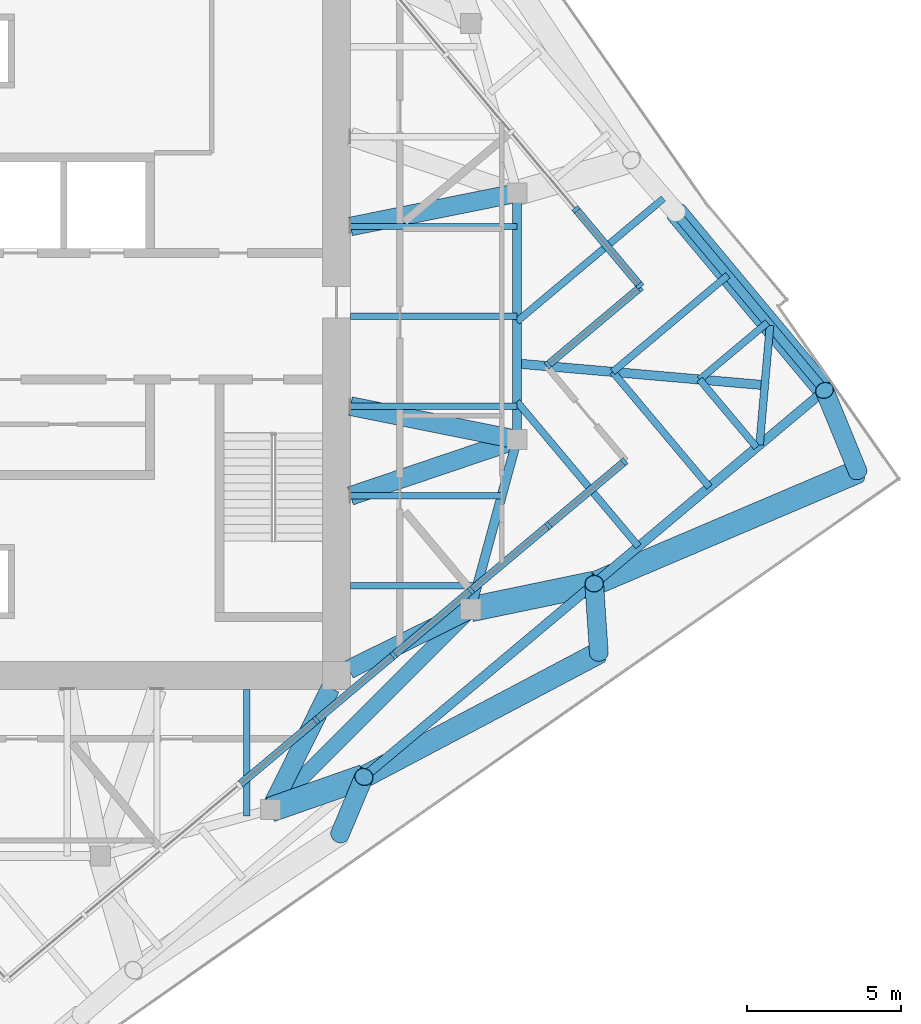
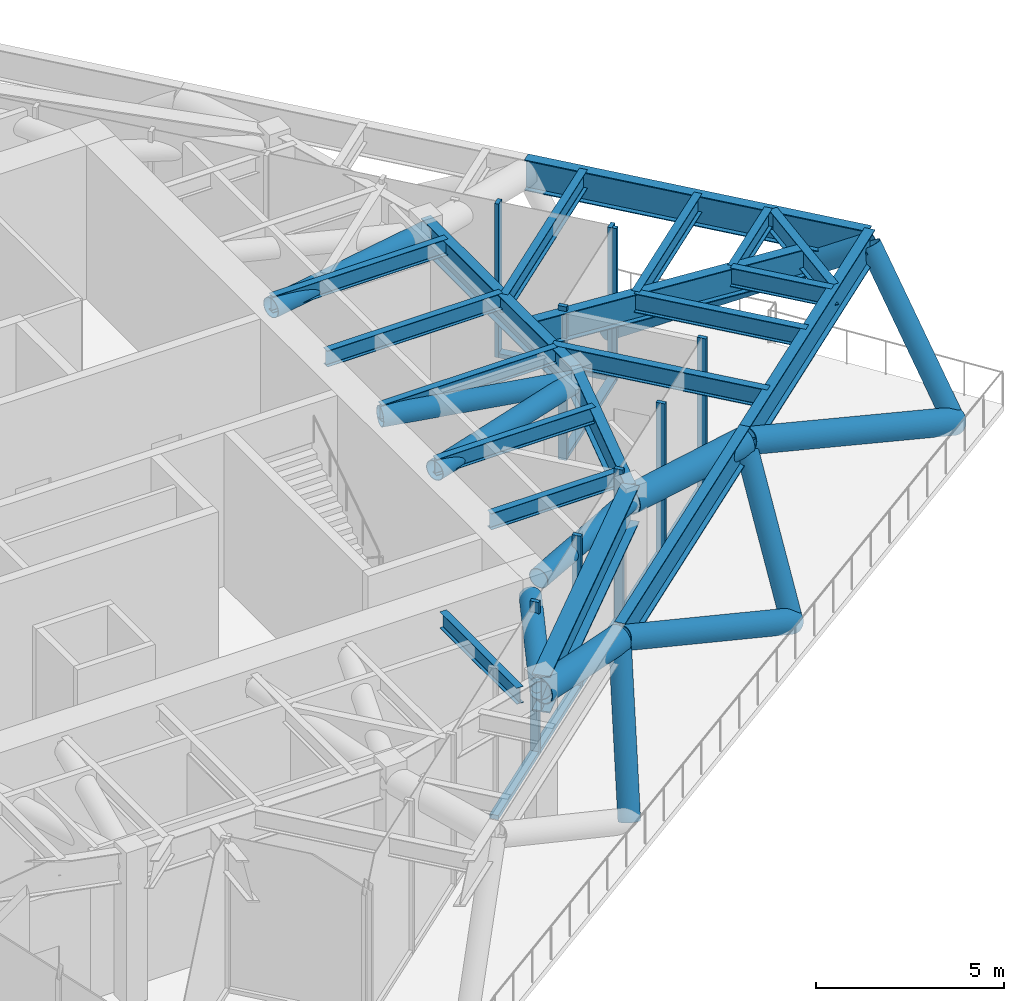
# One storey, part 3 of 15: 29 members, 20 beams, 3 elements without a shape of their own.
"""IFC4 building model written with IfcOpenShell, lengths in metres."""

from ifc_helpers import new_model, si_unit, direction, frame, origin, origin_2d, place, context, subcontext, project, spatial, rectangle, hollow_circle, i_section, extrude, material, material_profile, profile_set, type_object, element, aggregate, save


model = new_model("IFC4")

# Units and contexts
model_context = context("Model", 3, precision=1e-05, world=origin(), true_north=direction((0.0, 1.0)))
body_context = subcontext(model_context, "Body", "Model", "MODEL_VIEW")
ifc_project = project(units=[si_unit("LENGTHUNIT", "METRE"), si_unit("AREAUNIT", "SQUARE_METRE"), si_unit("VOLUMEUNIT", "CUBIC_METRE"), si_unit("PLANEANGLEUNIT", "RADIAN"), si_unit("MASSUNIT", "GRAM", prefix="KILO")], contexts=[model_context])

# Site, building, storey
site_placement = place(None, origin())
site = spatial("IfcSite", under=ifc_project, at=site_placement, CompositionType="ELEMENT")
building_placement = place(site_placement, origin())
building = spatial("IfcBuilding", under=site, at=building_placement, Name="Torsade Residences", CompositionType="ELEMENT")
storey_placement = place(building_placement, frame((0.0, 0.0, 267.60009765625)))
storey = spatial("IfcBuildingStorey", under=building, at=storey_placement, Name="L74", CompositionType="ELEMENT", Elevation=267.60009765625)

# Beams
ifc_material_1 = material(Name="Steel grade 300", Category="steel")
ifc_material_profile_1 = material_profile(ifc_material_1, i_section(OverallWidth=0.300048828125, OverallDepth=0.89990234375, WebThickness=0.011962890625, FlangeThickness=0.02490234375, at=origin_2d()), Name="900WB175")
ifc_profile_set_1 = profile_set([ifc_material_profile_1], Name="Steel grade 300")
beam_type_1 = type_object("IfcBeamType", Name="CORNER GIRDER 900WB175", PredefinedType="BEAM", material=ifc_profile_set_1)
beam_1_placement = place(storey_placement, frame((65.53515625, 27.765869140625, 4.39990234375), z_axis=(-0.996193191806, 0.087172957961, 0.0), x_axis=(-0.087172957961, -0.996193191806, 0.0)))
element("IfcBeam", 1, at=beam_1_placement, inside=storey, type_object=beam_type_1, Name="Corner girder 05 L75", PredefinedType="BEAM", context=body_context, shape_type="SweptSolid", body=[
    extrude(i_section(OverallWidth=0.300048828125, OverallDepth=0.89990234375, WebThickness=0.011962890625, FlangeThickness=0.02490234375, at=origin_2d()), origin(), (0.0, 0.0, 1.0), 8.06591796875),
])
ifc_material_2 = material(Name="Steel grade 300", Category="steel")
ifc_material_profile_2 = material_profile(ifc_material_2, i_section(OverallWidth=0.25, OverallDepth=0.699951171875, WebThickness=0.010009765625, FlangeThickness=0.02001953125, at=origin_2d()), Name="700WB130")
ifc_profile_set_2 = profile_set([ifc_material_profile_2], Name="Steel grade 300")
beam_type_2 = type_object("IfcBeamType", Name="CORNER TRIMMER 700WB130", PredefinedType="BEAM", material=ifc_profile_set_2)
beam_2_placement = place(storey_placement, frame((65.70458984375, 29.703125, 4.5), z_axis=(-0.087133464362, -0.996196646947, 0.0), x_axis=(0.996196646947, -0.087133464362, 0.0)))
element("IfcBeam", 2, at=beam_2_placement, inside=storey, type_object=beam_type_2, Name="Corner trimmer 05 L75", PredefinedType="BEAM", context=body_context, shape_type="SweptSolid", body=[
    extrude(i_section(OverallWidth=0.25, OverallDepth=0.699951171875, WebThickness=0.010009765625, FlangeThickness=0.02001953125, at=origin_2d()), origin(), (0.0, 0.0, 1.0), 3.88916015625),
])

# Curtain wall, members
ifc_material_3 = material(Name="Aluminium and glass", Category="aluminium")
curtain_wall_type = type_object("IfcCurtainWallType", Name="TRANSFER LEVEL CURTAIN WALL HIGH ZONE", PredefinedType="NOTDEFINED", material=ifc_material_3)
curtain_wall_1_placement = place(storey_placement, origin())
curtain_wall_1 = element("IfcCurtainWall", 3, at=curtain_wall_1_placement, inside=storey, type_object=curtain_wall_type, Name="Curtain wall L74 face 1", PredefinedType="NOTDEFINED")
ifc_material_4 = material(Name="Aluminium mullion", Category="aluminium")
ifc_material_profile_3 = material_profile(ifc_material_4, rectangle(XDim=0.25, YDim=0.1201171875, at=origin_2d()), Name="HIGH ZONE TRANSFER CURTAIN WALL MULLION 250x120")
ifc_profile_set_3 = profile_set([ifc_material_profile_3], Name="Aluminium mullion")
member_type_1 = type_object("IfcMemberType", Name="HIGH ZONE TRANSFER CURTAIN WALL MULLION 250x120", PredefinedType="MULLION", material=ifc_profile_set_3)
member_1_placement = place(storey_placement, frame((50.99169921875, 16.900634765625, 0.0), z_axis=(0.0, 0.0, 1.0), x_axis=(-0.642787631413, 0.766044424888, 0.0)))
member_1 = element("IfcMember", 4, at=member_1_placement, type_object=member_type_1, Name="Mullion 5", PredefinedType="MULLION", context=body_context, shape_type="SweptSolid", body=[
    extrude(rectangle(XDim=0.25, YDim=0.1201171875, at=origin_2d()), origin(), (0.0, 0.0, 1.0), 5.0),
])
member_2_placement = place(storey_placement, frame((53.50048828125, 19.005859375, 0.0), z_axis=(0.0, 0.0, 1.0), x_axis=(-0.642787631413, 0.766044424888, 0.0)))
member_2 = element("IfcMember", 5, at=member_2_placement, type_object=member_type_1, Name="Mullion 6", PredefinedType="MULLION", context=body_context, shape_type="SweptSolid", body=[
    extrude(rectangle(XDim=0.25, YDim=0.1201171875, at=origin_2d()), origin(), (0.0, 0.0, 1.0), 5.0),
])
member_3_placement = place(storey_placement, frame((56.00927734375, 21.11083984375, 0.0), z_axis=(0.0, 0.0, 1.0), x_axis=(-0.642787631413, 0.766044424888, 0.0)))
member_3 = element("IfcMember", 6, at=member_3_placement, type_object=member_type_1, Name="Mullion 7", PredefinedType="MULLION", context=body_context, shape_type="SweptSolid", body=[
    extrude(rectangle(XDim=0.25, YDim=0.1201171875, at=origin_2d()), origin(), (0.0, 0.0, 1.0), 5.0),
])
member_4_placement = place(storey_placement, frame((58.51806640625, 23.216064453125, 0.0), z_axis=(0.0, 0.0, 1.0), x_axis=(-0.642787631413, 0.766044424888, 0.0)))
member_4 = element("IfcMember", 7, at=member_4_placement, type_object=member_type_1, Name="Mullion 8", PredefinedType="MULLION", context=body_context, shape_type="SweptSolid", body=[
    extrude(rectangle(XDim=0.25, YDim=0.1201171875, at=origin_2d()), origin(), (0.0, 0.0, 1.0), 5.0),
])
member_5_placement = place(storey_placement, frame((60.98095703125, 25.282470703125, 0.0), z_axis=(0.0, 0.0, 1.0), x_axis=(-0.642787631413, 0.766044424888, 0.0)))
member_5 = element("IfcMember", 8, at=member_5_placement, type_object=member_type_1, Name="Mullion 9", PredefinedType="MULLION", context=body_context, shape_type="SweptSolid", body=[
    extrude(rectangle(XDim=0.25, YDim=0.1201171875, at=origin_2d()), origin(), (0.0, 0.0, 1.0), 5.0),
])

curtain_wall_2_placement = place(storey_placement, origin())
curtain_wall_2 = element("IfcCurtainWall", 9, at=curtain_wall_2_placement, inside=storey, type_object=curtain_wall_type, Name="Curtain wall L74 face 3", PredefinedType="NOTDEFINED")
member_6_placement = place(storey_placement, frame((58.501708984375, 28.423828125, 0.0), z_axis=(0.0, 0.0, 1.0), x_axis=(-0.642787664022, 0.766044397526, 0.0)))
member_6 = element("IfcMember", 10, at=member_6_placement, type_object=member_type_1, Name="Mullion 1", PredefinedType="MULLION", context=body_context, shape_type="SweptSolid", body=[
    extrude(rectangle(XDim=0.25, YDim=0.1201171875, at=origin_2d()), origin(), (0.0, 0.0, 1.0), 5.0),
])
member_7_placement = place(storey_placement, frame((61.473876953125, 30.91796875, 0.0), z_axis=(0.0, 0.0, 1.0), x_axis=(-0.642787664022, 0.766044397526, 0.0)))
member_7 = element("IfcMember", 11, at=member_7_placement, type_object=member_type_1, Name="Mullion 2", PredefinedType="MULLION", context=body_context, shape_type="SweptSolid", body=[
    extrude(rectangle(XDim=0.25, YDim=0.1201171875, at=origin_2d()), origin(), (0.0, 0.0, 1.0), 5.0),
])

curtain_wall_3_placement = place(storey_placement, origin())
curtain_wall_3 = element("IfcCurtainWall", 12, at=curtain_wall_3_placement, inside=storey, type_object=curtain_wall_type, Name="Curtain wall L74 face 4", PredefinedType="NOTDEFINED")
member_8_placement = place(storey_placement, frame((61.481201171875, 31.00244140625, 0.0), z_axis=(0.0, 0.0, 1.0), x_axis=(-0.766044424888, -0.642787631413, 0.0)))
member_8 = element("IfcMember", 13, at=member_8_placement, type_object=member_type_1, Name="Mullion 1", PredefinedType="MULLION", context=body_context, shape_type="SweptSolid", body=[
    extrude(rectangle(XDim=0.25, YDim=0.1201171875, at=origin_2d()), origin(), (0.0, 0.0, 1.0), 5.0),
])
member_9_placement = place(storey_placement, frame((59.414794921875, 33.46533203125, 0.0), z_axis=(0.0, 0.0, 1.0), x_axis=(-0.766044424888, -0.642787631413, 0.0)))
member_9 = element("IfcMember", 14, at=member_9_placement, type_object=member_type_1, Name="Mullion 2", PredefinedType="MULLION", context=body_context, shape_type="SweptSolid", body=[
    extrude(rectangle(XDim=0.25, YDim=0.1201171875, at=origin_2d()), origin(), (0.0, 0.0, 1.0), 5.0),
])

# Member
ifc_material_5 = material(Name="Aluminium transom", Category="aluminium")
ifc_material_profile_4 = material_profile(ifc_material_5, rectangle(XDim=0.25, YDim=0.139892578125, at=origin_2d()), Name="HIGH ZONE TRANSFER CURTAIN WALL TRANSOM 250x140")
ifc_profile_set_4 = profile_set([ifc_material_profile_4], Name="Aluminium transom")
member_type_2 = type_object("IfcMemberType", Name="HIGH ZONE TRANSFER CURTAIN WALL TRANSOM 250x140", PredefinedType="USERDEFINED", material=ifc_profile_set_4)
member_10_placement = place(storey_placement, frame((48.52880859375, 14.833984375, 0.06982421875), z_axis=(0.766047733122, 0.642783688793, 0.0), x_axis=(-0.642783688793, 0.766047733122, 0.0)))
member_10 = element("IfcMember", 15, at=member_10_placement, type_object=member_type_2, Name="Transom 4.1", ObjectType="TRANSOM", PredefinedType="USERDEFINED", context=body_context, shape_type="SweptSolid", body=[
    extrude(rectangle(XDim=0.25, YDim=0.139892578125, at=origin_2d()), origin(), (0.0, 0.0, 1.0), 3.155029296875),
])

member_11_placement = place(storey_placement, frame((51.03759765625, 16.939208984375, 0.06982421875), z_axis=(0.766047733122, 0.642783688793, 0.0), x_axis=(-0.642783688793, 0.766047733122, 0.0)))
member_11 = element("IfcMember", 16, at=member_11_placement, type_object=member_type_2, Name="Transom 5.1", ObjectType="TRANSOM", PredefinedType="USERDEFINED", context=body_context, shape_type="SweptSolid", body=[
    extrude(rectangle(XDim=0.25, YDim=0.139892578125, at=origin_2d()), origin(), (0.0, 0.0, 1.0), 3.155029296875),
])

member_12_placement = place(storey_placement, frame((53.54638671875, 19.04443359375, 0.06982421875), z_axis=(0.766085835105, 0.642738277412, 0.0), x_axis=(-0.642738277412, 0.766085835105, 0.0)))
member_12 = element("IfcMember", 17, at=member_12_placement, type_object=member_type_2, Name="Transom 6.1", ObjectType="TRANSOM", PredefinedType="USERDEFINED", context=body_context, shape_type="SweptSolid", body=[
    extrude(rectangle(XDim=0.25, YDim=0.139892578125, at=origin_2d()), origin(), (0.0, 0.0, 1.0), 3.155029296875),
])

member_13_placement = place(storey_placement, frame((56.05517578125, 21.1494140625, 0.06982421875), z_axis=(0.766047733122, 0.642783688793, 0.0), x_axis=(-0.642783688793, 0.766047733122, 0.0)))
member_13 = element("IfcMember", 18, at=member_13_placement, type_object=member_type_2, Name="Transom 7.1", ObjectType="TRANSOM", PredefinedType="USERDEFINED", context=body_context, shape_type="SweptSolid", body=[
    extrude(rectangle(XDim=0.25, YDim=0.139892578125, at=origin_2d()), origin(), (0.0, 0.0, 1.0), 3.155029296875),
])

member_14_placement = place(storey_placement, frame((58.56396484375, 23.254638671875, 0.06982421875), z_axis=(0.766024886585, 0.642810915537, 0.0), x_axis=(-0.642810915537, 0.766024886585, 0.0)))
member_14 = element("IfcMember", 19, at=member_14_placement, type_object=member_type_2, Name="Transom 8.1", ObjectType="TRANSOM", PredefinedType="USERDEFINED", context=body_context, shape_type="SweptSolid", body=[
    extrude(rectangle(XDim=0.25, YDim=0.139892578125, at=origin_2d()), origin(), (0.0, 0.0, 1.0), 3.094970703125),
])

aggregate(curtain_wall_1, [member_1, member_2, member_3, member_4, member_5, member_10, member_11, member_12, member_13, member_14])

member_15_placement = place(storey_placement, frame((58.547607421875, 28.46240234375, 0.06982421875), z_axis=(0.766034770044, 0.642799137433, 0.0), x_axis=(-0.642799137433, 0.766034770044, 0.0)))
member_15 = element("IfcMember", 20, at=member_15_placement, type_object=member_type_2, Name="Transom 1.1", ObjectType="TRANSOM", PredefinedType="USERDEFINED", context=body_context, shape_type="SweptSolid", body=[
    extrude(rectangle(XDim=0.25, YDim=0.139892578125, at=origin_2d()), origin(), (0.0, 0.0, 1.0), 3.760009765625),
])

aggregate(curtain_wall_2, [member_6, member_7, member_15])

member_16_placement = place(storey_placement, frame((61.442626953125, 31.04833984375, 0.06982421875), z_axis=(-0.642725782483, 0.766096318051, 0.0), x_axis=(-0.766096318051, -0.642725782483, 0.0)))
member_16 = element("IfcMember", 21, at=member_16_placement, type_object=member_type_2, Name="Transom 1.1", ObjectType="TRANSOM", PredefinedType="USERDEFINED", context=body_context, shape_type="SweptSolid", body=[
    extrude(rectangle(XDim=0.25, YDim=0.139892578125, at=origin_2d()), origin(), (0.0, 0.0, 1.0), 3.094970703125),
])

aggregate(curtain_wall_3, [member_8, member_9, member_16])

# Beams
ifc_material_6 = material(Name="Steel grade 300", Category="steel")
ifc_material_profile_5 = material_profile(ifc_material_6, i_section(OverallWidth=0.208984375, OverallDepth=0.528076171875, WebThickness=0.009521484375, FlangeThickness=0.01318359375, FilletRadius=0.013916015625, at=origin_2d()), Name="530UB82.0")
ifc_profile_set_5 = profile_set([ifc_material_profile_5], Name="Steel grade 300")
beam_type_3 = type_object("IfcBeamType", Name="INNER FLOOR BEAM 530UB82.0", PredefinedType="JOIST", material=ifc_profile_set_5)
for number, where, z_axis, x_axis, name in (
    (22, (48.737548828125, 17.89990234375, 4.5859375), (0.0, -1.0, 0.0), (1.0, 0.0, 0.0), "Inner floor beam IS01 L75"),
    (23, (52.10009765625, 21.262451171875, 4.5859375), (1.0, 0.0, 0.0), (0.0, 1.0, 0.0), "Inner floor beam IE01 L75"),
):
    element("IfcBeam", number, at=place(storey_placement, frame(where, z_axis=z_axis, x_axis=x_axis)), inside=storey, type_object=beam_type_3, Name=name, PredefinedType="JOIST", context=body_context, shape_type="SweptSolid", body=[
        extrude(i_section(OverallWidth=0.208984375, OverallDepth=0.528076171875, WebThickness=0.009521484375, FlangeThickness=0.01318359375, FilletRadius=0.013916015625, at=origin_2d()), origin(), (0.0, 0.0, 1.0), 4.10791015625),
    ])
beam_3_placement = place(storey_placement, frame((52.10009765625, 24.175048828125, 4.5859375), z_axis=(1.0, 0.0, 0.0), x_axis=(0.0, 1.0, 0.0)))
element("IfcBeam", 24, at=beam_3_placement, inside=storey, type_object=beam_type_3, Name="Inner floor beam IE02 L75", PredefinedType="JOIST", context=body_context, shape_type="SweptSolid", body=[
    extrude(i_section(OverallWidth=0.208984375, OverallDepth=0.528076171875, WebThickness=0.009521484375, FlangeThickness=0.01318359375, FilletRadius=0.013916015625, at=origin_2d()), origin(), (0.0, 0.0, 1.0), 4.902099609375),
])
for number, where, z_axis, x_axis, name in (
    (25, (52.10009765625, 27.08740234375, 4.5859375), (1.0, 0.0, 0.0), (0.0, 1.0, 0.0), "Inner floor beam IE03 L75"),
    (26, (52.10009765625, 30.0, 4.5859375), (1.0, 0.0, 0.0), (0.0, 1.0, 0.0), "Inner floor beam IE04 L75"),
    (27, (52.10009765625, 32.91259765625, 4.5859375), (1.0, 0.0, 0.0), (0.0, 1.0, 0.0), "Inner floor beam IE05 L75"),
):
    element("IfcBeam", number, at=place(storey_placement, frame(where, z_axis=z_axis, x_axis=x_axis)), inside=storey, type_object=beam_type_3, Name=name, PredefinedType="JOIST", context=body_context, shape_type="SweptSolid", body=[
        extrude(i_section(OverallWidth=0.208984375, OverallDepth=0.528076171875, WebThickness=0.009521484375, FlangeThickness=0.01318359375, FilletRadius=0.013916015625, at=origin_2d()), origin(), (0.0, 0.0, 1.0), 5.39990234375),
    ])
ifc_material_7 = material(Name="Steel grade 300", Category="steel")
ifc_material_profile_6 = material_profile(ifc_material_7, i_section(OverallWidth=0.5, OverallDepth=1.199951171875, WebThickness=0.01611328125, FlangeThickness=0.0400390625, at=origin_2d()), Name="1200WB455")
ifc_profile_set_6 = profile_set([ifc_material_profile_6], Name="Steel grade 300")
beam_type_4 = type_object("IfcBeamType", Name="RING CORNER GIRDER 1200WB455", PredefinedType="BEAM", material=ifc_profile_set_6)
beam_4_placement = place(storey_placement, frame((49.5, 14.0, 4.25), z_axis=(0.707106781187, 0.707106781187, 0.0), x_axis=(-0.707106781187, 0.707106781187, 0.0)))
element("IfcBeam", 28, at=beam_4_placement, inside=storey, type_object=beam_type_4, Name="Ring girder IR15 L75", PredefinedType="BEAM", context=body_context, shape_type="SweptSolid", body=[
    extrude(i_section(OverallWidth=0.5, OverallDepth=1.199951171875, WebThickness=0.01611328125, FlangeThickness=0.0400390625, at=origin_2d()), origin(), (0.0, 0.0, 1.0), 9.1923828125),
])
ifc_material_8 = material(Name="Steel grade 300", Category="steel")
ifc_material_profile_7 = material_profile(ifc_material_8, i_section(OverallWidth=0.300048828125, OverallDepth=1.0, WebThickness=0.01611328125, FlangeThickness=0.028076171875, at=origin_2d()), Name="1000WB215")
ifc_profile_set_7 = profile_set([ifc_material_profile_7], Name="Steel grade 300")
beam_type_5 = type_object("IfcBeamType", Name="RING GIRDER 1000WB215", PredefinedType="BEAM", material=ifc_profile_set_7)
beam_5_placement = place(storey_placement, frame((57.5, 26.0, 4.349853515625), z_axis=(0.0, 1.0, 0.0), x_axis=(-1.0, 0.0, 0.0)))
element("IfcBeam", 29, at=beam_5_placement, inside=storey, type_object=beam_type_5, Name="Ring girder IR01 L75", PredefinedType="BEAM", context=body_context, shape_type="SweptSolid", body=[
    extrude(i_section(OverallWidth=0.300048828125, OverallDepth=1.0, WebThickness=0.01611328125, FlangeThickness=0.028076171875, at=origin_2d()), origin(), (0.0, 0.0, 1.0), 8.0),
])
beam_6_placement = place(storey_placement, frame((56.0, 20.5, 4.349853515625), z_axis=(0.263117405792, 0.964763821238, 0.0), x_axis=(-0.964763821238, 0.263117405792, 0.0)))
element("IfcBeam", 30, at=beam_6_placement, inside=storey, type_object=beam_type_5, Name="Ring girder IR16 L75", PredefinedType="BEAM", context=body_context, shape_type="SweptSolid", body=[
    extrude(i_section(OverallWidth=0.300048828125, OverallDepth=1.0, WebThickness=0.01611328125, FlangeThickness=0.028076171875, at=origin_2d()), origin(), (0.0, 0.0, 1.0), 5.700927734375),
])
ifc_material_9 = material(Name="Steel grade 300", Category="steel")
ifc_material_profile_8 = material_profile(ifc_material_9, i_section(OverallWidth=0.22900390625, OverallDepth=0.612060546875, WebThickness=0.011962890625, FlangeThickness=0.01953125, FilletRadius=0.013916015625, at=origin_2d()), Name="610UB125")
ifc_profile_set_8 = profile_set([ifc_material_profile_8], Name="Steel grade 300")
beam_type_6 = type_object("IfcBeamType", Name="SECONDARY BEAM 610UB125", PredefinedType="JOIST", material=ifc_profile_set_8)
beam_7_placement = place(storey_placement, frame((61.439697265625, 22.534423828125, 4.5439453125), z_axis=(-0.642794037701, 0.766039049329, 0.0), x_axis=(-0.766039049329, -0.642794037701, 0.0)))
element("IfcBeam", 31, at=beam_7_placement, inside=storey, type_object=beam_type_6, Name="Floor beam FS10 L75", PredefinedType="JOIST", context=body_context, shape_type="SweptSolid", body=[
    extrude(i_section(OverallWidth=0.22900390625, OverallDepth=0.612060546875, WebThickness=0.011962890625, FlangeThickness=0.01953125, FilletRadius=0.013916015625, at=origin_2d()), origin(), (0.0, 0.0, 1.0), 6.12890625),
])
beam_8_placement = place(storey_placement, frame((63.73779296875, 24.462890625, 4.5439453125), z_axis=(-0.642791490223, 0.766041186946, 0.0), x_axis=(-0.766041186946, -0.642791490223, 0.0)))
element("IfcBeam", 32, at=beam_8_placement, inside=storey, type_object=beam_type_6, Name="Floor beam FS11 L75", PredefinedType="JOIST", context=body_context, shape_type="SweptSolid", body=[
    extrude(i_section(OverallWidth=0.22900390625, OverallDepth=0.612060546875, WebThickness=0.011962890625, FlangeThickness=0.01953125, FilletRadius=0.013916015625, at=origin_2d()), origin(), (0.0, 0.0, 1.0), 4.875),
])
for number, where, z_axis, x_axis, name in (
    (33, (65.269775390625, 25.74853515625, 4.5439453125), (-0.642761807001, 0.766066093402, 0.0), (-0.766066093402, -0.642761807001, 0.0), "Floor beam FS12 L75"),
    (34, (65.624267578125, 29.798828125, 4.5439453125), (-0.766066093402, -0.642761807001, 0.0), (0.642761807001, -0.766066093402, 0.0), "Floor beam FE01 L75"),
):
    element("IfcBeam", number, at=place(storey_placement, frame(where, z_axis=z_axis, x_axis=x_axis)), inside=storey, type_object=beam_type_6, Name=name, PredefinedType="JOIST", context=body_context, shape_type="SweptSolid", body=[
        extrude(i_section(OverallWidth=0.22900390625, OverallDepth=0.612060546875, WebThickness=0.011962890625, FlangeThickness=0.01953125, FilletRadius=0.013916015625, at=origin_2d()), origin(), (0.0, 0.0, 1.0), 2.875),
    ])
beam_9_placement = place(storey_placement, frame((64.338623046875, 31.3310546875, 4.5439453125), z_axis=(-0.766016526982, -0.642820877376, 0.0), x_axis=(0.642820877376, -0.766016526982, 0.0)))
element("IfcBeam", 35, at=beam_9_placement, inside=storey, type_object=beam_type_6, Name="Floor beam FE02 L75", PredefinedType="JOIST", context=body_context, shape_type="SweptSolid", body=[
    extrude(i_section(OverallWidth=0.22900390625, OverallDepth=0.612060546875, WebThickness=0.011962890625, FlangeThickness=0.01953125, FilletRadius=0.013916015625, at=origin_2d()), origin(), (0.0, 0.0, 1.0), 4.875),
])
beam_10_placement = place(storey_placement, frame((62.24951171875, 33.820556640625, 4.5439453125), z_axis=(-0.766041422722, -0.642791209238, 0.0), x_axis=(0.642791209238, -0.766041422722, 0.0)))
element("IfcBeam", 36, at=beam_10_placement, inside=storey, type_object=beam_type_6, Name="Floor beam FE03 L75", PredefinedType="JOIST", context=body_context, shape_type="SweptSolid", body=[
    extrude(i_section(OverallWidth=0.22900390625, OverallDepth=0.612060546875, WebThickness=0.011962890625, FlangeThickness=0.01953125, FilletRadius=0.013916015625, at=origin_2d()), origin(), (0.0, 0.0, 1.0), 6.199951171875),
])

# Members
ifc_material_10 = material(Name="Steel grade 450", Category="steel")
ifc_material_profile_9 = material_profile(ifc_material_10, hollow_circle(Radius=0.304931640625, WallThickness=0.01611328125, at=origin_2d()), Name="610.0x16.0CHS")
ifc_profile_set_9 = profile_set([ifc_material_profile_9], Name="Steel grade 450")
member_type_3 = type_object("IfcMemberType", Name="TRANSFER FLOOR BRACE 610.0x16.0CHS", PredefinedType="BRACE", material=ifc_profile_set_9)
member_17_placement = place(storey_placement, frame((57.5, 26.0, 4.349853515625), z_axis=(-0.980201418973, 0.197387517864, 0.015599552377), x_axis=(-0.197411538983, -0.980320704809, 0.0)))
element("IfcMember", 37, at=member_17_placement, inside=storey, type_object=member_type_3, Name="Transfer floor brace TT8 top IR01IE03", PredefinedType="BRACE", context=body_context, shape_type="SweptSolid", body=[
    extrude(hollow_circle(Radius=0.304931640625, WallThickness=0.01611328125, at=origin_2d()), origin(), (0.0, 0.0, 1.0), 5.509033203125),
])
member_18_placement = place(storey_placement, frame((57.5, 26.0, 4.349853515625), z_axis=(-0.947252495944, -0.320133484365, 0.01507518214), x_axis=(0.320169867513, -0.947360151124, 0.0)))
element("IfcMember", 38, at=member_18_placement, inside=storey, type_object=member_type_3, Name="Transfer floor brace TT8 top IR01IE02", PredefinedType="BRACE", context=body_context, shape_type="SweptSolid", body=[
    extrude(hollow_circle(Radius=0.304931640625, WallThickness=0.01611328125, at=origin_2d()), origin(), (0.0, 0.0, 1.0), 5.70068359375),
])
member_19_placement = place(storey_placement, frame((57.5, 34.0, 4.349853515625), z_axis=(-0.980201418973, -0.197387517864, 0.015599552377), x_axis=(0.197411538983, -0.980320704809, 0.0)))
element("IfcMember", 39, at=member_19_placement, inside=storey, type_object=member_type_3, Name="Transfer floor brace TT8 top IR02IE05", PredefinedType="BRACE", context=body_context, shape_type="SweptSolid", body=[
    extrude(hollow_circle(Radius=0.304931640625, WallThickness=0.01611328125, at=origin_2d()), origin(), (0.0, 0.0, 1.0), 5.509033203125),
])
for number, where, z_axis, x_axis, name in (
    (40, (49.5, 14.0, 4.349853515625), (0.443105036702, 0.896469701914, 0.0), (-0.896469701914, 0.443105036702, 0.0), "Transfer floor brace TT8 top IR15C"),
    (41, (56.0, 20.5, 4.349853515625), (-0.896469701914, -0.443105036702, 0.0), (0.443105036702, -0.896469701914, 0.0), "Transfer floor brace TT8 top IR16C"),
):
    element("IfcMember", number, at=place(storey_placement, frame(where, z_axis=z_axis, x_axis=x_axis)), inside=storey, type_object=member_type_3, Name=name, PredefinedType="BRACE", context=body_context, shape_type="SweptSolid", body=[
        extrude(hollow_circle(Radius=0.304931640625, WallThickness=0.01611328125, at=origin_2d()), origin(), (0.0, 0.0, 1.0), 4.40234375),
    ])
ifc_material_11 = material(Name="Steel grade 450", Category="steel")
ifc_material_profile_10 = material_profile(ifc_material_11, hollow_circle(Radius=0.406494140625, WallThickness=0.02490234375, at=origin_2d()), Name="813.0x25.0CHS")
ifc_profile_set_10 = profile_set([ifc_material_profile_10], Name="Steel grade 450")
member_type_4 = type_object("IfcMemberType", Name="TRANSFER FLOOR STRUT 813.0x25.0CHS", PredefinedType="STRUT", material=ifc_profile_set_10)
member_20_placement = place(storey_placement, frame((52.534423828125, 15.06201171875, 4.349853515625), z_axis=(-0.943861908085, -0.330340276786, 0.0), x_axis=(0.330340276786, -0.943861908085, 0.0)))
element("IfcMember", 42, at=member_20_placement, inside=storey, type_object=member_type_4, Name="Transfer floor strut TT8 top 03IR15", PredefinedType="STRUT", context=body_context, shape_type="SweptSolid", body=[
    extrude(hollow_circle(Radius=0.406494140625, WallThickness=0.02490234375, at=origin_2d()), origin(), (0.0, 0.0, 1.0), 3.21484375),
])
member_21_placement = place(storey_placement, frame((60.003173828125, 21.329345703125, 4.349853515625), z_axis=(-0.979206863255, -0.202864287033, 0.0), x_axis=(0.202864287033, -0.979206863255, 0.0)))
element("IfcMember", 43, at=member_21_placement, inside=storey, type_object=member_type_4, Name="Transfer floor strut TT8 top 04IR16", PredefinedType="STRUT", context=body_context, shape_type="SweptSolid", body=[
    extrude(hollow_circle(Radius=0.406494140625, WallThickness=0.02490234375, at=origin_2d()), origin(), (0.0, 0.0, 1.0), 4.088134765625),
])

# Beams
ifc_material_12 = material(Name="Steel grade 300", Category="steel")
ifc_material_profile_11 = material_profile(ifc_material_12, i_section(OverallWidth=0.300048828125, OverallDepth=1.0, WebThickness=0.01611328125, FlangeThickness=0.028076171875, at=origin_2d()), Name="1000WB215")
ifc_profile_set_11 = profile_set([ifc_material_profile_11], Name="Steel grade 300")
beam_type_7 = type_object("IfcBeamType", Name="TRANSFER TRUSS CHORD 1000WB215", PredefinedType="USERDEFINED", material=ifc_profile_set_11)
for number, where, z_axis, x_axis, name in (
    (44, (52.534423828125, 15.06201171875, 4.349853515625), (0.766028856906, 0.642806184154, 0.0), (-0.642806184154, 0.766028856906, 0.0), "Transfer truss TT8 top chord 03"),
    (45, (60.003173828125, 21.329345703125, 4.349853515625), (0.766051532934, 0.642779160279, 0.0), (-0.642779160279, 0.766051532934, 0.0), "Transfer truss TT8 top chord 04"),
    (46, (67.47216796875, 27.596435546875, 4.349853515625), (-0.642779160279, 0.766051532934, 0.0), (-0.766051532934, -0.642779160279, 0.0), "Transfer truss TT8 top chord 05"),
):
    element("IfcBeam", number, at=place(storey_placement, frame(where, z_axis=z_axis, x_axis=x_axis)), inside=storey, type_object=beam_type_7, Name=name, ObjectType="TRANSFER TRUSS CHORD", PredefinedType="USERDEFINED", context=body_context, shape_type="SweptSolid", body=[
        extrude(i_section(OverallWidth=0.300048828125, OverallDepth=1.0, WebThickness=0.01611328125, FlangeThickness=0.028076171875, at=origin_2d()), origin(), (0.0, 0.0, 1.0), 9.75),
    ])

# Members
ifc_material_13 = material(Name="Steel grade 450", Category="steel")
ifc_material_profile_12 = material_profile(ifc_material_13, hollow_circle(Radius=0.35546875, WallThickness=0.02001953125, at=origin_2d()), Name="711.0x20.0CHS")
ifc_profile_set_12 = profile_set([ifc_material_profile_12], Name="Steel grade 450")
member_type_5 = type_object("IfcMemberType", Name="TRANSFER TRUSS DIAGONAL 711.0x20.0CHS", PredefinedType="BRACE", material=ifc_profile_set_12)
member_22_placement = place(storey_placement, frame((60.154541015625, 19.08642578125, -0.2001953125), z_axis=(-0.781951424565, -0.412972167197, 0.466911082264), x_axis=(0.46700234454, -0.884256077273, 0.0)))
element("IfcMember", 47, at=member_22_placement, inside=storey, type_object=member_type_5, Name="Transfer truss TT8 diagonal 03", PredefinedType="BRACE", context=body_context, shape_type="SweptSolid", body=[
    extrude(hollow_circle(Radius=0.35546875, WallThickness=0.02001953125, at=origin_2d()), origin(), (0.0, 0.0, 1.0), 9.7451171875),
])
member_23_placement = place(storey_placement, frame((62.671875, 33.362060546875, -0.2001953125), z_axis=(0.547086115712, -0.65710434893, 0.518565961679), x_axis=(0.768509277568, 0.639838643951, 0.0)))
element("IfcMember", 48, at=member_23_placement, inside=storey, type_object=member_type_5, Name="Transfer truss TT8 diagonal 05", PredefinedType="BRACE", context=body_context, shape_type="SweptSolid", body=[
    extrude(hollow_circle(Radius=0.35546875, WallThickness=0.02001953125, at=origin_2d()), origin(), (0.0, 0.0, 1.0), 8.774169921875),
])
ifc_material_14 = material(Name="Steel grade 450", Category="steel")
ifc_material_profile_13 = material_profile(ifc_material_14, hollow_circle(Radius=0.381103515625, WallThickness=0.02197265625, at=origin_2d()), Name="762.0x22.0CHS")
ifc_profile_set_13 = profile_set([ifc_material_profile_13], Name="Steel grade 450")
member_type_6 = type_object("IfcMemberType", Name="TRANSFER TRUSS DIAGONAL 762.0x22.0CHS", PredefinedType="BRACE", material=ifc_profile_set_13)
member_24_placement = place(storey_placement, frame((68.551025390625, 24.9658203125, -0.2001953125), z_axis=(-0.82638035213, -0.351563331, 0.439884914391), x_axis=(0.391472306815, -0.920189889641, 0.0)))
element("IfcMember", 49, at=member_24_placement, inside=storey, type_object=member_type_6, Name="Transfer truss TT8 diagonal 04", PredefinedType="BRACE", context=body_context, shape_type="SweptSolid", body=[
    extrude(hollow_circle(Radius=0.381103515625, WallThickness=0.02197265625, at=origin_2d()), origin(), (0.0, 0.0, 1.0), 10.34375),
])
ifc_material_15 = material(Name="Steel grade 450", Category="steel")
ifc_material_profile_14 = material_profile(ifc_material_15, hollow_circle(Radius=0.304931640625, WallThickness=0.01611328125, at=origin_2d()), Name="610.0x16.0CHS")
ifc_profile_set_14 = profile_set([ifc_material_profile_14], Name="Steel grade 450")
member_type_7 = type_object("IfcMemberType", Name="TRANSFER TRUSS RAKING STRUT 610.0x16.0CHS", PredefinedType="STRUT", material=ifc_profile_set_14)
member_25_placement = place(storey_placement, frame((51.75830078125, 13.207275390625, -0.2001953125), z_axis=(0.156021233758, 0.372850994924, 0.914680004264), x_axis=(-0.922490267349, 0.38602034486, 0.0)))
element("IfcMember", 50, at=member_25_placement, inside=storey, type_object=member_type_7, Name="Transfer truss TT8 raking strut 03", PredefinedType="STRUT", context=body_context, shape_type="SweptSolid", body=[
    extrude(hollow_circle(Radius=0.304931640625, WallThickness=0.01611328125, at=origin_2d()), origin(), (0.0, 0.0, 1.0), 4.974365234375),
])
member_26_placement = place(storey_placement, frame((60.154541015625, 19.08642578125, -0.2001953125), z_axis=(-0.029825513454, 0.441946761454, 0.896545313293), x_axis=(-0.997730524185, -0.067333506585, 0.0)))
element("IfcMember", 51, at=member_26_placement, inside=storey, type_object=member_type_7, Name="Transfer truss TT8 raking strut 04", PredefinedType="STRUT", context=body_context, shape_type="SweptSolid", body=[
    extrude(hollow_circle(Radius=0.304931640625, WallThickness=0.01611328125, at=origin_2d()), origin(), (0.0, 0.0, 1.0), 5.0751953125),
])
member_27_placement = place(storey_placement, frame((68.551025390625, 24.9658203125, -0.2001953125), z_axis=(-0.201078549011, 0.490296756187, 0.848042751281), x_axis=(-0.925214226894, -0.379445166464, 0.0)))
element("IfcMember", 52, at=member_27_placement, inside=storey, type_object=member_type_7, Name="Transfer truss TT8 raking strut 05", PredefinedType="STRUT", context=body_context, shape_type="SweptSolid", body=[
    extrude(hollow_circle(Radius=0.304931640625, WallThickness=0.01611328125, at=origin_2d()), origin(), (0.0, 0.0, 1.0), 5.365234375),
])

save(model, "model.ifc")
